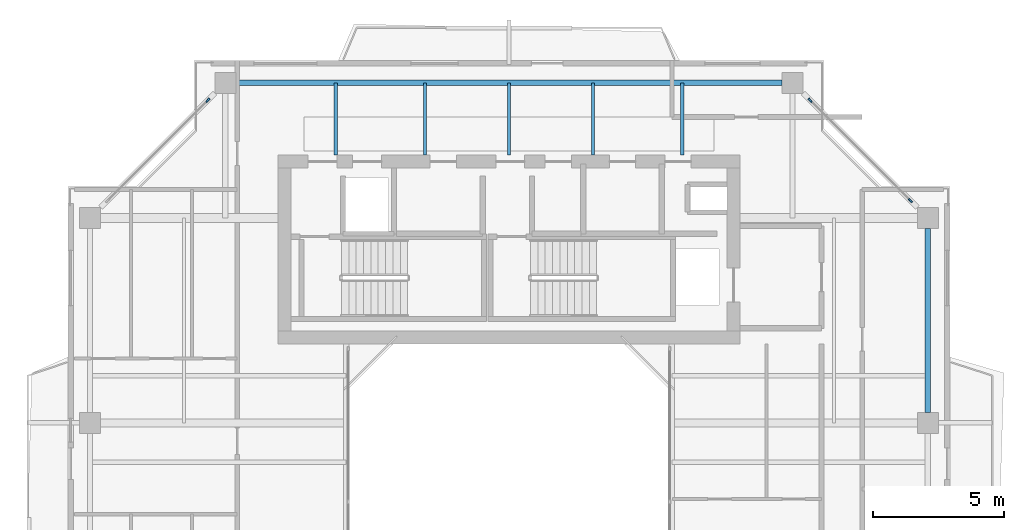
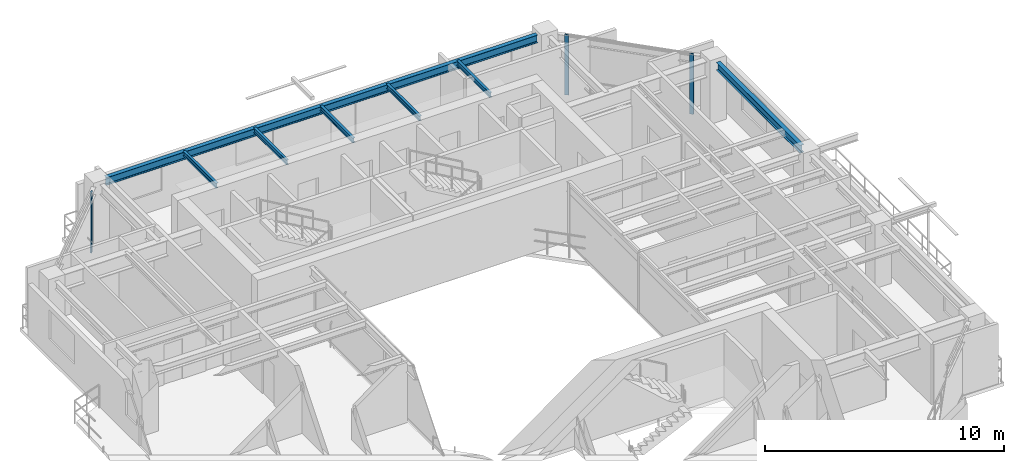
# One storey, part 8 of 16: 7 beams, 3 members, 2 elements without a shape of their own.
"""IFC4 building model written with IfcOpenShell, lengths in metres."""

from ifc_helpers import new_model, si_unit, direction, frame, origin, origin_2d, place, context, subcontext, project, spatial, rectangle, i_section, extrude, source, transform, mapped, material, layer, layer_set, material_profile, profile_set, type_object, element, aggregate, save


model = new_model("IFC4")

# Units and contexts
model_context = context("Model", 3, precision=1e-05, world=origin(), true_north=direction((0.0, 1.0)))
body_context = subcontext(model_context, "Body", "Model", "MODEL_VIEW")
ifc_project = project(units=[si_unit("LENGTHUNIT", "METRE"), si_unit("AREAUNIT", "SQUARE_METRE"), si_unit("VOLUMEUNIT", "CUBIC_METRE"), si_unit("PLANEANGLEUNIT", "RADIAN"), si_unit("MASSUNIT", "GRAM", prefix="KILO"), si_unit("THERMODYNAMICTEMPERATUREUNIT", "KELVIN"), si_unit("POWERUNIT", "WATT")], contexts=[model_context])

# Site, building, storey
site_placement = place(None, origin())
site = spatial("IfcSite", under=ifc_project, at=site_placement, CompositionType="ELEMENT")
building_placement = place(site_placement, origin())
building = spatial("IfcBuilding", under=site, at=building_placement, Name="Qiaomeng Ring Towers", CompositionType="ELEMENT")
storey_placement = place(building_placement, frame((0.0, 0.0, 197.0)))
storey = spatial("IfcBuildingStorey", under=building, at=storey_placement, Name="L57", CompositionType="ELEMENT", Elevation=197.0)

# Beams
ifc_material_1 = material(Name="Steel Q355B", Category="steel")
ifc_material_profile_1 = material_profile(ifc_material_1, i_section(OverallWidth=0.198974609375, OverallDepth=0.39599609375, WebThickness=0.007080078125, FlangeThickness=0.010986328125, FilletRadius=0.01611328125, at=origin_2d()), Name="HN 396x199x7x11")
ifc_profile_set_1 = profile_set([ifc_material_profile_1], Name="Steel Q355B")
beam_type_1 = type_object("IfcBeamType", Name="STR-BM-HN396", PredefinedType="SPANDREL", material=ifc_profile_set_1)
shared_shape_1 = source(origin(), body_context, "Body", "SweptSolid", [
    extrude(i_section(OverallWidth=0.198974609375, OverallDepth=0.39599609375, WebThickness=0.007080078125, FlangeThickness=0.010986328125, FilletRadius=0.01611328125, at=origin_2d()), origin(), (0.0, 0.0, 1.0), 20.8017578125),
])
beam_1_placement = place(storey_placement, frame((29.40087890625, 38.949951171875, 2.8720703125), z_axis=(-1.0, 0.0, 0.0), x_axis=(0.0, -1.0, 0.0)))
element("IfcBeam", 1, at=beam_1_placement, inside=storey, type_object=beam_type_1, Name="L57 beam STR-SP-L57-T1-N2-N1", PredefinedType="SPANDREL", context=body_context, shape_type="MappedRepresentation", body=[
    mapped(shared_shape_1, transform((0.0, 0.0, 0.0), x_axis=(1.0, 0.0, 0.0), y_axis=(0.0, 1.0, 0.0), z_axis=(0.0, 0.0, 1.0), scale=1.0)),
])
shared_shape_2 = source(origin(), body_context, "Body", "SweptSolid", [
    extrude(i_section(OverallWidth=0.198974609375, OverallDepth=0.39599609375, WebThickness=0.007080078125, FlangeThickness=0.010986328125, FilletRadius=0.01611328125, at=origin_2d()), origin(), (0.0, 0.0, 1.0), 7.001953125),
])
beam_2_placement = place(storey_placement, frame((34.949951171875, 26.39892578125, 2.8720703125), z_axis=(0.0, 1.0, 0.0), x_axis=(-1.0, 0.0, 0.0)))
element("IfcBeam", 2, at=beam_2_placement, inside=storey, type_object=beam_type_1, Name="L57 beam STR-SP-L57-T1-E3-E4", PredefinedType="SPANDREL", context=body_context, shape_type="MappedRepresentation", body=[
    mapped(shared_shape_2, transform((0.0, 0.0, 0.0), x_axis=(1.0, 0.0, 0.0), y_axis=(0.0, 1.0, 0.0), z_axis=(0.0, 0.0, 1.0), scale=1.0)),
])
ifc_material_profile_2 = material_profile(ifc_material_1, i_section(OverallWidth=0.125, OverallDepth=0.25, WebThickness=0.006103515625, FlangeThickness=0.009033203125, FilletRadius=0.011962890625, at=origin_2d()), Name="HN 250x125x6x9")
ifc_profile_set_2 = profile_set([ifc_material_profile_2], Name="Steel Q355B")
beam_type_2 = type_object("IfcBeamType", Name="STR-BM-HN250", PredefinedType="JOIST", material=ifc_profile_set_2)
shared_shape_3 = source(origin(), body_context, "Body", "SweptSolid", [
    extrude(i_section(OverallWidth=0.125, OverallDepth=0.25, WebThickness=0.006103515625, FlangeThickness=0.009033203125, FilletRadius=0.011962890625, at=origin_2d()), origin(), (0.0, 0.0, 1.0), 2.75),
])
for number, where, z_axis, x_axis, name in (
    (3, (12.39990234375, 36.199951171875, 2.945068359375), (0.0, 1.0, 0.0), (-1.0, 0.0, 0.0), "L57 beam STR-JST-L57-T1N-1"),
    (4, (15.800048828125, 36.199951171875, 2.945068359375), (0.0, 1.0, 0.0), (-1.0, 0.0, 0.0), "L57 beam STR-JST-L57-T1N-2"),
    (5, (19.0, 36.199951171875, 2.945068359375), (0.0, 1.0, 0.0), (-1.0, 0.0, 0.0), "L57 beam STR-JST-L57-T1N-3"),
    (6, (22.199951171875, 36.199951171875, 2.945068359375), (0.0, 1.0, 0.0), (-1.0, 0.0, 0.0), "L57 beam STR-JST-L57-T1N-4"),
    (7, (25.60009765625, 36.199951171875, 2.945068359375), (0.0, 1.0, 0.0), (-1.0, 0.0, 0.0), "L57 beam STR-JST-L57-T1N-5"),
):
    element("IfcBeam", number, at=place(storey_placement, frame(where, z_axis=z_axis, x_axis=x_axis)), inside=storey, type_object=beam_type_2, Name=name, PredefinedType="JOIST", context=body_context, shape_type="MappedRepresentation", body=[
        mapped(shared_shape_3, transform((0.0, 0.0, 0.0), x_axis=(1.0, 0.0, 0.0), y_axis=(0.0, 1.0, 0.0), z_axis=(0.0, 0.0, 1.0), scale=1.0)),
    ])

# Curtain wall, members
ifc_material_2 = material(Name="Fluorocarbon dark-grey aluminium", Category="aluminium")
ifc_layer = layer(ifc_material_2, 0.14990234375, Name="Fluorocarbon dark-grey aluminium")
ifc_layer_set = layer_set([ifc_layer], Name="Fluorocarbon dark-grey aluminium")
curtain_wall_type = type_object("IfcCurtainWallType", Name="ARC-CW-3", PredefinedType="NOTDEFINED", material=ifc_layer_set)
curtain_wall_1_placement = place(storey_placement, origin())
curtain_wall_1 = element("IfcCurtainWall", 8, at=curtain_wall_1_placement, inside=storey, type_object=curtain_wall_type, Name="L57 Curtain Wall CW3", PredefinedType="NOTDEFINED")
ifc_material_profile_3 = material_profile(ifc_material_2, rectangle(XDim=0.070068359375, YDim=0.179931640625, at=origin_2d()), Name="ALU MULL 70x180")
ifc_profile_set_3 = profile_set([ifc_material_profile_3], Name="Fluorocarbon dark-grey aluminium")
member_type = type_object("IfcMemberType", Name="ARC-CWM-160", PredefinedType="MULLION", material=ifc_profile_set_3)
shared_shape_4 = source(origin(), body_context, "Body", "SweptSolid", [
    extrude(rectangle(XDim=0.070068359375, YDim=0.179931640625, at=origin_2d()), origin(), (0.0, 0.0, 1.0), 3.070068359375),
])
member_1_placement = place(storey_placement, frame((34.28515625, 34.46484375, 0.0), z_axis=(0.0, 0.0, 1.0), x_axis=(-0.707106781187, -0.707106781187, 0.0)))
member_1 = element("IfcMember", 9, at=member_1_placement, type_object=member_type, Name="CW3 mullion 1", PredefinedType="MULLION", context=body_context, shape_type="MappedRepresentation", body=[
    mapped(shared_shape_4, transform((0.0, 0.0, 0.0), x_axis=(1.0, 0.0, 0.0), y_axis=(0.0, 1.0, 0.0), z_axis=(0.0, 0.0, 1.0), scale=1.0)),
])
member_2_placement = place(storey_placement, frame((30.46484375, 38.28515625, 0.0), z_axis=(0.0, 0.0, 1.0), x_axis=(-0.707106781187, -0.707106781187, 0.0)))
member_2 = element("IfcMember", 10, at=member_2_placement, type_object=member_type, Name="CW3 mullion 2", PredefinedType="MULLION", context=body_context, shape_type="MappedRepresentation", body=[
    mapped(shared_shape_4, transform((0.0, 0.0, 0.0), x_axis=(1.0, 0.0, 0.0), y_axis=(0.0, 1.0, 0.0), z_axis=(0.0, 0.0, 1.0), scale=1.0)),
])
aggregate(curtain_wall_1, [member_1, member_2])

# Curtain wall, member
curtain_wall_2_placement = place(storey_placement, origin())
curtain_wall_2 = element("IfcCurtainWall", 11, at=curtain_wall_2_placement, inside=storey, type_object=curtain_wall_type, Name="L57 Curtain Wall CW3", PredefinedType="NOTDEFINED")
member_3_placement = place(storey_placement, frame((7.53515625, 38.28515625, 0.0), z_axis=(0.0, 0.0, 1.0), x_axis=(0.707106781187, -0.707106781187, 0.0)))
member_3 = element("IfcMember", 12, at=member_3_placement, type_object=member_type, Name="CW3 mullion 1", PredefinedType="MULLION", context=body_context, shape_type="MappedRepresentation", body=[
    mapped(shared_shape_4, transform((0.0, 0.0, 0.0), x_axis=(1.0, 0.0, 0.0), y_axis=(0.0, 1.0, 0.0), z_axis=(0.0, 0.0, 1.0), scale=1.0)),
])
aggregate(curtain_wall_2, [member_3])

save(model, "model.ifc")
